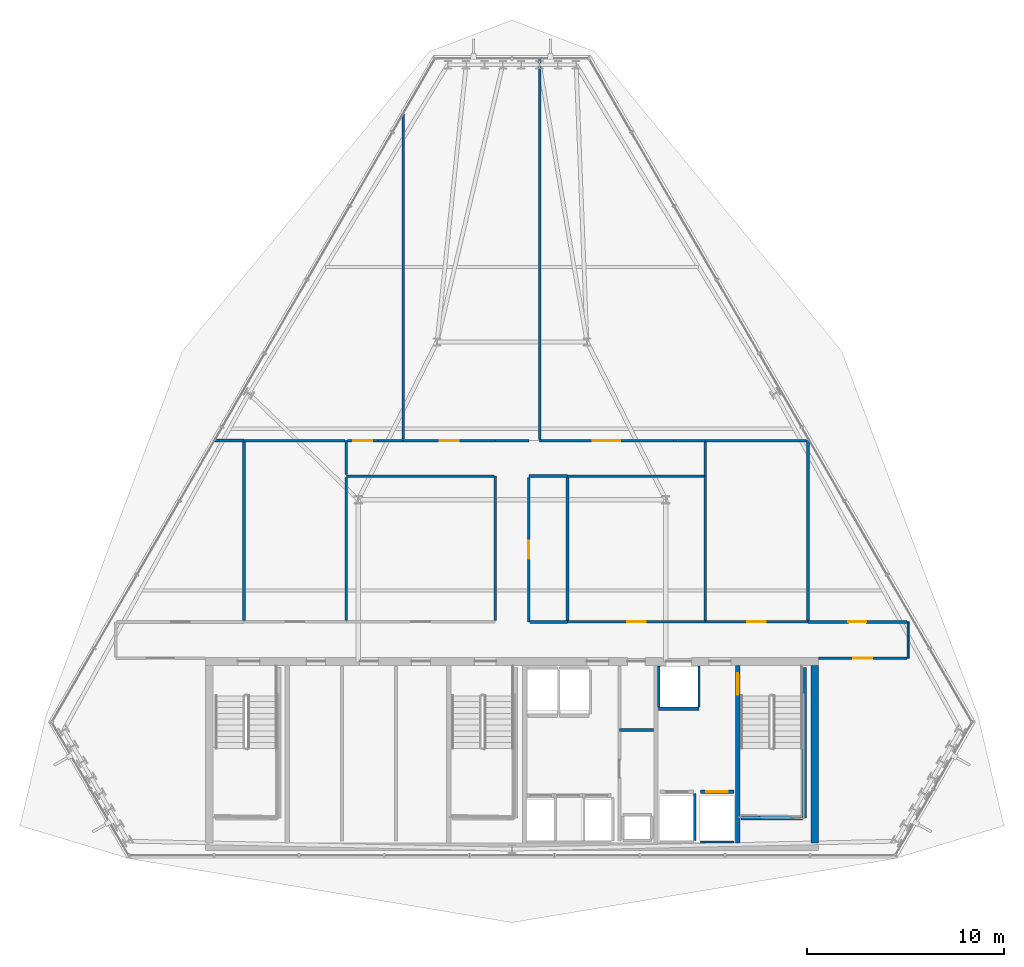
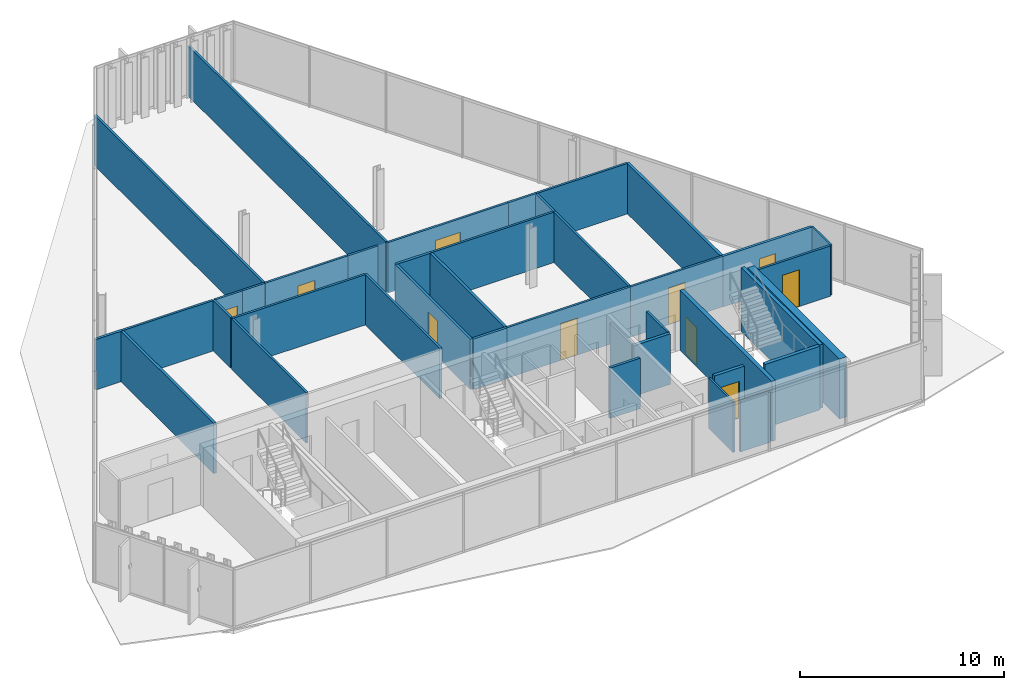
# One storey, part 30 of 37: 40 walls, 10 doors, 10 openings.
"""IFC4 building model written with IfcOpenShell, lengths in metres."""

from ifc_helpers import new_model, si_unit, direction, frame, frame_2d, origin, place, context, subcontext, project, spatial, rectangle, extrude, material, layer, layer_set, type_object, element, fill, save


model = new_model("IFC4")

# Units and contexts
model_context = context("Model", 3, precision=1e-05, world=origin(), true_north=direction((0.0, 1.0)))
body_context = subcontext(model_context, "Body", "Model", "MODEL_VIEW")
ifc_project = project(units=[si_unit("LENGTHUNIT", "METRE"), si_unit("AREAUNIT", "SQUARE_METRE"), si_unit("VOLUMEUNIT", "CUBIC_METRE"), si_unit("PLANEANGLEUNIT", "RADIAN"), si_unit("MASSUNIT", "GRAM", prefix="KILO")], contexts=[model_context])

# Site, building, storey
site_placement = place(None, origin())
site = spatial("IfcSite", under=ifc_project, at=site_placement, CompositionType="ELEMENT")
building_placement = place(site_placement, origin())
building = spatial("IfcBuilding", under=site, at=building_placement, Name="Ndaravel Arena Tower", CompositionType="ELEMENT")
storey_placement = place(building_placement, frame((0.0, 0.0, 218.0)))
storey = spatial("IfcBuildingStorey", under=building, at=storey_placement, Name="L52", CompositionType="ELEMENT", Elevation=218.0)

# Wall
ifc_material_1 = material(Name="Gypsum", Category="gypsum")
ifc_layer_1 = layer(ifc_material_1, 0.14990234375)
ifc_layer_set_1 = layer_set([ifc_layer_1], Name="Gypsum")
wall_type_1 = type_object("IfcWallType", Name="WALL-COMP-150", PredefinedType="PARTITIONING", material=ifc_layer_set_1)
wall_1_placement = place(storey_placement, frame((47.449951171875, 11.52001953125, 0.0), z_axis=(0.0, 0.0, 1.0), x_axis=(1.0, 0.0, 0.0)))
element("IfcWall", 1, at=wall_1_placement, inside=storey, type_object=wall_type_1, Name="L52 Core Riser Divider 1", PredefinedType="PARTITIONING", context=body_context, shape_type="SweptSolid", body=[
    extrude(rectangle(XDim=1.72998046875, YDim=0.14990234375, at=frame_2d((0.864990234375, 0.0))), origin(), (0.0, 0.0, 1.0), 3.010498046875),
])

# Wall, opening, door
ifc_material_2 = material(Name="Concrete C50/60", Category="concrete")
ifc_layer_2 = layer(ifc_material_2, 0.219970703125)
ifc_layer_set_2 = layer_set([ifc_layer_2], Name="Concrete C50/60")
wall_type_2 = type_object("IfcWallType", Name="WALL-CORE-220", PredefinedType="SOLIDWALL", material=ifc_layer_set_2)
wall_2_placement = place(storey_placement, frame((53.449951171875, 5.800048828125, 0.0), z_axis=(0.0, 0.0, 1.0), x_axis=(0.0, 1.0, 0.0)))
wall_2 = element("IfcWall", 2, at=wall_2_placement, inside=storey, type_object=wall_type_2, Name="L52 Core Web Shear Wall 5", PredefinedType="SOLIDWALL", context=body_context, shape_type="SweptSolid", body=[
    extrude(rectangle(XDim=9.0, YDim=0.219970703125, at=frame_2d((4.5, 0.0))), origin(), (0.0, 0.0, 1.0), 3.580078125),
])
opening_1_placement = place(wall_2_placement, frame((7.5, 0.0, 0.0)))
opening_1 = element("IfcOpeningElement", 3, at=opening_1_placement, cuts=wall_2, Name="Opening FD-01", PredefinedType="OPENING", context=body_context, shape_type="SweptSolid", body=[
    extrude(rectangle(XDim=1.10009765625, YDim=2.199951171875, at=frame_2d((0.550048828125, 1.10009765625))), frame((0.0, 0.10986328125, 0.0), z_axis=(0.0, -1.0, 0.0), x_axis=(1.0, 0.0, 0.0)), (0.0, 0.0, 1.0), 0.219970703125),
])
ifc_material_3 = material(Name="Steel S355", Category="steel")
door_type_1 = type_object("IfcDoorType", Name="DT-01-STAIR-1100", OperationType="SINGLE_SWING_LEFT", PredefinedType="DOOR", material=ifc_material_3)
door_1_placement = place(opening_1_placement, origin())
door_1 = element("IfcDoor", 4, at=door_1_placement, inside=storey, type_object=door_type_1, Name="L52 Firefighting Lobby to ST-3 Door", OperationType="SINGLE_SWING_LEFT", OverallHeight=2.199951171875, OverallWidth=1.10009765625, PredefinedType="DOOR", context=body_context, shape_type="SweptSolid", body=[
    extrude(rectangle(XDim=1.10009765625, YDim=2.199951171875, at=frame_2d((0.550048828125, 1.10009765625))), frame((0.0, 0.02490234375, 0.0), z_axis=(0.0, -1.0, 0.0), x_axis=(1.0, 0.0, 0.0)), (0.0, 0.0, 1.0), 0.050048828125),
])
fill(opening_1, door_1)

# Walls
ifc_material_4 = material(Name="Concrete C50/60", Category="concrete")
ifc_layer_3 = layer(ifc_material_4, 0.39990234375)
ifc_layer_set_3 = layer_set([ifc_layer_3], Name="Concrete C50/60")
wall_type_3 = type_object("IfcWallType", Name="WALL-CORE-400", PredefinedType="SOLIDWALL", material=ifc_layer_set_3)
wall_3_placement = place(storey_placement, frame((57.35009765625, 5.800048828125, 0.0), z_axis=(0.0, 0.0, 1.0), x_axis=(0.0, 1.0, 0.0)))
element("IfcWall", 5, at=wall_3_placement, inside=storey, type_object=wall_type_3, Name="L52 Core East Shear Wall", PredefinedType="SOLIDWALL", context=body_context, shape_type="SweptSolid", body=[
    extrude(rectangle(XDim=9.0, YDim=0.39990234375, at=frame_2d((4.5, 0.0))), origin(), (0.0, 0.0, 1.0), 3.580078125),
])
ifc_material_5 = material(Name="Timber", Category="wood")
ifc_layer_4 = layer(ifc_material_5, 0.10009765625)
ifc_layer_set_4 = layer_set([ifc_layer_4], Name="Timber")
wall_type_4 = type_object("IfcWallType", Name="WALL-MOVABLE-100", PredefinedType="MOVABLE", material=ifc_layer_set_4)
wall_4_placement = place(storey_placement, frame((62.091064453125, 17.0, 0.0), z_axis=(0.0, 0.0, 1.0), x_axis=(0.0, -1.0, 0.0)))
element("IfcWall", 6, at=wall_4_placement, inside=storey, type_object=wall_type_4, Name="L52 Interior Partition 001", PredefinedType="MOVABLE", context=body_context, shape_type="SweptSolid", body=[
    extrude(rectangle(XDim=1.85009765625, YDim=0.10009765625, at=frame_2d((0.925048828125, 0.0))), origin(), (0.0, 0.0, 1.0), 3.010498046875),
])

# Wall, opening, door
ifc_material_6 = material(Name="Gypsum", Category="gypsum")
ifc_layer_5 = layer(ifc_material_6, 0.125)
ifc_layer_set_5 = layer_set([ifc_layer_5], Name="Gypsum")
wall_type_5 = type_object("IfcWallType", Name="WALL-PART-125", PredefinedType="PARTITIONING", material=ifc_layer_set_5)
wall_5_placement = place(storey_placement, frame((62.02587890625, 15.14990234375, 0.0), z_axis=(0.0, 0.0, 1.0), x_axis=(-1.0, 0.0, 0.0)))
wall_5 = element("IfcWall", 7, at=wall_5_placement, inside=storey, type_object=wall_type_5, Name="L52 Interior Partition 002", PredefinedType="PARTITIONING", context=body_context, shape_type="SweptSolid", body=[
    extrude(rectangle(XDim=4.475830078125, YDim=0.125, at=frame_2d((2.23779296875, 0.0))), origin(), (0.0, 0.0, 1.0), 3.010498046875),
])
opening_2_placement = place(wall_5_placement, frame((1.762939453125, 0.0, 0.0)))
opening_2 = element("IfcOpeningElement", 8, at=opening_2_placement, cuts=wall_5, Name="Opening ID-01", PredefinedType="OPENING", context=body_context, shape_type="SweptSolid", body=[
    extrude(rectangle(XDim=0.949951171875, YDim=2.199951171875, at=frame_2d((0.47509765625, 1.10009765625))), frame((0.0, 0.0625, 0.0), z_axis=(0.0, -1.0, 0.0), x_axis=(1.0, 0.0, 0.0)), (0.0, 0.0, 1.0), 0.125),
])
ifc_material_7 = material(Name="Timber", Category="wood")
door_type_2 = type_object("IfcDoorType", Name="DT-03-OFFICE-950", OperationType="SINGLE_SWING_LEFT", PredefinedType="DOOR", material=ifc_material_7)
door_2_placement = place(opening_2_placement, origin())
door_2 = element("IfcDoor", 9, at=door_2_placement, inside=storey, type_object=door_type_2, Name="L52 Design Bookshop Boutique Door", OperationType="SINGLE_SWING_RIGHT", OverallHeight=2.199951171875, OverallWidth=0.949951171875, PredefinedType="DOOR", context=body_context, shape_type="SweptSolid", body=[
    extrude(rectangle(XDim=0.949951171875, YDim=2.199951171875, at=frame_2d((0.47509765625, 1.10009765625))), frame((0.0, 0.02490234375, 0.0), z_axis=(0.0, -1.0, 0.0), x_axis=(1.0, 0.0, 0.0)), (0.0, 0.0, 1.0), 0.050048828125),
])
fill(opening_2, door_2)

# Walls
wall_6_placement = place(storey_placement, frame((41.14990234375, 17.06494140625, 0.0), z_axis=(0.0, 0.0, 1.0), x_axis=(0.0, 1.0, 0.0)))
element("IfcWall", 10, at=wall_6_placement, inside=storey, type_object=wall_type_5, Name="L52 Interior Partition 008", PredefinedType="PARTITIONING", context=body_context, shape_type="SweptSolid", body=[
    extrude(rectangle(XDim=7.3349609375, YDim=0.125, at=frame_2d((3.66748046875, 0.0))), origin(), (0.0, 0.0, 1.0), 3.010498046875),
])
wall_7_placement = place(storey_placement, frame((41.0849609375, 24.39990234375, 0.0), z_axis=(0.0, 0.0, 1.0), x_axis=(-1.0, 0.0, 0.0)))
element("IfcWall", 11, at=wall_7_placement, inside=storey, type_object=wall_type_5, Name="L52 Interior Partition 009", PredefinedType="PARTITIONING", context=body_context, shape_type="SweptSolid", body=[
    extrude(rectangle(XDim=7.48486328125, YDim=0.125, at=frame_2d((3.742431640625, 0.0))), origin(), (0.0, 0.0, 1.0), 3.010498046875),
])
wall_8_placement = place(storey_placement, frame((33.60009765625, 24.465087890625, 0.0), z_axis=(0.0, 0.0, 1.0), x_axis=(0.0, 1.0, 0.0)))
element("IfcWall", 12, at=wall_8_placement, inside=storey, type_object=wall_type_5, Name="L52 Interior Partition 010", PredefinedType="PARTITIONING", context=body_context, shape_type="SweptSolid", body=[
    extrude(rectangle(XDim=1.73486328125, YDim=0.125, at=frame_2d((0.867431640625, 0.0))), origin(), (0.0, 0.0, 1.0), 3.010498046875),
])

# Wall, opening, door
wall_9_placement = place(storey_placement, frame((33.6650390625, 26.199951171875, 0.0), z_axis=(0.0, 0.0, 1.0), x_axis=(1.0, 0.0, 0.0)))
wall_9 = element("IfcWall", 13, at=wall_9_placement, inside=storey, type_object=wall_type_5, Name="L52 Interior Partition 011", PredefinedType="PARTITIONING", context=body_context, shape_type="SweptSolid", body=[
    extrude(rectangle(XDim=1.534912109375, YDim=0.125, at=frame_2d((0.767578125, 0.0))), origin(), (0.0, 0.0, 1.0), 3.010498046875),
])
opening_3_placement = place(wall_9_placement, frame((0.29248046875, 0.0, 0.0)))
opening_3 = element("IfcOpeningElement", 14, at=opening_3_placement, cuts=wall_9, Name="Opening ID-01", PredefinedType="OPENING", context=body_context, shape_type="SweptSolid", body=[
    extrude(rectangle(XDim=0.949951171875, YDim=2.199951171875, at=frame_2d((0.47509765625, 1.10009765625))), frame((0.0, 0.0625, 0.0), z_axis=(0.0, -1.0, 0.0), x_axis=(1.0, 0.0, 0.0)), (0.0, 0.0, 1.0), 0.125),
])
door_3_placement = place(opening_3_placement, origin())
door_3 = element("IfcDoor", 15, at=door_3_placement, inside=storey, type_object=door_type_2, Name="L52 Innovation Showroom 3 Door", OperationType="SINGLE_SWING_RIGHT", OverallHeight=2.199951171875, OverallWidth=0.949951171875, PredefinedType="DOOR", context=body_context, shape_type="SweptSolid", body=[
    extrude(rectangle(XDim=0.949951171875, YDim=2.199951171875, at=frame_2d((0.47509765625, 1.10009765625))), frame((0.0, 0.02490234375, 0.0), z_axis=(0.0, -1.0, 0.0), x_axis=(1.0, 0.0, 0.0)), (0.0, 0.0, 1.0), 0.050048828125),
])
fill(opening_3, door_3)

# Wall
wall_10_placement = place(storey_placement, frame((35.199951171875, 26.199951171875, 0.0), z_axis=(0.0, 0.0, 1.0), x_axis=(1.0, 0.0, 0.0)))
element("IfcWall", 16, at=wall_10_placement, inside=storey, type_object=wall_type_5, Name="L52 Interior Partition 012", PredefinedType="PARTITIONING", context=body_context, shape_type="SweptSolid", body=[
    extrude(rectangle(XDim=1.2744140625, YDim=0.125, at=frame_2d((0.63720703125, 0.0))), origin(), (0.0, 0.0, 1.0), 3.010498046875),
])

# Wall, opening, door
wall_11_placement = place(storey_placement, frame((36.474365234375, 26.199951171875, 0.0), z_axis=(0.0, 0.0, 1.0), x_axis=(1.0, 0.0, 0.0)))
wall_11 = element("IfcWall", 17, at=wall_11_placement, inside=storey, type_object=wall_type_5, Name="L52 Interior Partition 013", PredefinedType="PARTITIONING", context=body_context, shape_type="SweptSolid", body=[
    extrude(rectangle(XDim=4.675537109375, YDim=0.125, at=frame_2d((2.337890625, 0.0))), origin(), (0.0, 0.0, 1.0), 3.010498046875),
])
opening_4_placement = place(wall_11_placement, frame((1.86279296875, 0.0, 0.0)))
opening_4 = element("IfcOpeningElement", 18, at=opening_4_placement, cuts=wall_11, Name="Opening ID-01", PredefinedType="OPENING", context=body_context, shape_type="SweptSolid", body=[
    extrude(rectangle(XDim=0.949951171875, YDim=2.199951171875, at=frame_2d((0.47509765625, 1.10009765625))), frame((0.0, 0.0625, 0.0), z_axis=(0.0, -1.0, 0.0), x_axis=(1.0, 0.0, 0.0)), (0.0, 0.0, 1.0), 0.125),
])
door_4_placement = place(opening_4_placement, origin())
door_4 = element("IfcDoor", 19, at=door_4_placement, inside=storey, type_object=door_type_2, Name="L52 Publication Shop 4 Door", OperationType="SINGLE_SWING_RIGHT", OverallHeight=2.199951171875, OverallWidth=0.949951171875, PredefinedType="DOOR", context=body_context, shape_type="SweptSolid", body=[
    extrude(rectangle(XDim=0.949951171875, YDim=2.199951171875, at=frame_2d((0.47509765625, 1.10009765625))), frame((0.0, 0.02490234375, 0.0), z_axis=(0.0, -1.0, 0.0), x_axis=(1.0, 0.0, 0.0)), (0.0, 0.0, 1.0), 0.050048828125),
])
fill(opening_4, door_4)

# Wall
wall_12_placement = place(storey_placement, frame((41.14990234375, 26.199951171875, 0.0), z_axis=(0.0, 0.0, 1.0), x_axis=(1.0, 0.0, 0.0)))
element("IfcWall", 20, at=wall_12_placement, inside=storey, type_object=wall_type_5, Name="L52 Interior Partition 014", PredefinedType="PARTITIONING", context=body_context, shape_type="SweptSolid", body=[
    extrude(rectangle(XDim=1.7001953125, YDim=0.125, at=frame_2d((0.85009765625, 0.0))), origin(), (0.0, 0.0, 1.0), 3.010498046875),
])

# Wall, opening, door
wall_13_placement = place(storey_placement, frame((43.39990234375, 26.199951171875, 0.0), z_axis=(0.0, 0.0, 1.0), x_axis=(1.0, 0.0, 0.0)))
wall_13 = element("IfcWall", 21, at=wall_13_placement, inside=storey, type_object=wall_type_5, Name="L52 Interior Partition 015", PredefinedType="PARTITIONING", context=body_context, shape_type="SweptSolid", body=[
    extrude(rectangle(XDim=6.800048828125, YDim=0.125, at=frame_2d((3.39990234375, 0.0))), origin(), (0.0, 0.0, 1.0), 3.010498046875),
])
opening_5_placement = place(wall_13_placement, frame((2.699951171875, 0.0, 0.0)))
opening_5 = element("IfcOpeningElement", 22, at=opening_5_placement, cuts=wall_13, Name="Opening ID-02", PredefinedType="OPENING", context=body_context, shape_type="SweptSolid", body=[
    extrude(rectangle(XDim=1.39990234375, YDim=2.199951171875, at=frame_2d((0.699951171875, 1.10009765625))), frame((0.0, 0.0625, 0.0), z_axis=(0.0, -1.0, 0.0), x_axis=(1.0, 0.0, 0.0)), (0.0, 0.0, 1.0), 0.125),
])
ifc_material_8 = material(Name="Timber", Category="wood")
door_type_3 = type_object("IfcDoorType", Name="DT-04-SUITE-1400", OperationType="DOUBLE_DOOR_SINGLE_SWING", PredefinedType="DOOR", material=ifc_material_8)
door_5_placement = place(opening_5_placement, origin())
door_5 = element("IfcDoor", 23, at=door_5_placement, inside=storey, type_object=door_type_3, Name="L52 Executive Dining Lounge 4 Door", OperationType="SINGLE_SWING_LEFT", OverallHeight=2.199951171875, OverallWidth=1.39990234375, PredefinedType="DOOR", context=body_context, shape_type="SweptSolid", body=[
    extrude(rectangle(XDim=1.39990234375, YDim=2.199951171875, at=frame_2d((0.699951171875, 1.10009765625))), frame((0.0, 0.02490234375, 0.0), z_axis=(0.0, -1.0, 0.0), x_axis=(1.0, 0.0, 0.0)), (0.0, 0.0, 1.0), 0.050048828125),
])
fill(opening_5, door_5)

# Walls
wall_14_placement = place(storey_placement, frame((50.199951171875, 26.199951171875, 0.0), z_axis=(0.0, 0.0, 1.0), x_axis=(1.0, 0.0, 0.0)))
element("IfcWall", 24, at=wall_14_placement, inside=storey, type_object=wall_type_5, Name="L52 Interior Partition 016", PredefinedType="PARTITIONING", context=body_context, shape_type="SweptSolid", body=[
    extrude(rectangle(XDim=1.60009765625, YDim=0.125, at=frame_2d((0.800048828125, 0.0))), origin(), (0.0, 0.0, 1.0), 3.010498046875),
])
wall_15_placement = place(storey_placement, frame((51.800048828125, 26.135009765625, 0.0), z_axis=(0.0, 0.0, 1.0), x_axis=(0.0, -1.0, 0.0)))
element("IfcWall", 25, at=wall_15_placement, inside=storey, type_object=wall_type_5, Name="L52 Interior Partition 017", PredefinedType="PARTITIONING", context=body_context, shape_type="SweptSolid", body=[
    extrude(rectangle(XDim=1.735107421875, YDim=0.125, at=frame_2d((0.86767578125, 0.0))), origin(), (0.0, 0.0, 1.0), 3.010498046875),
])
wall_16_placement = place(storey_placement, frame((51.735107421875, 24.39990234375, 0.0), z_axis=(0.0, 0.0, 1.0), x_axis=(-1.0, 0.0, 0.0)))
element("IfcWall", 26, at=wall_16_placement, inside=storey, type_object=wall_type_5, Name="L52 Interior Partition 018", PredefinedType="PARTITIONING", context=body_context, shape_type="SweptSolid", body=[
    extrude(rectangle(XDim=6.916015625, YDim=0.125, at=frame_2d((3.4580078125, 0.0))), origin(), (0.0, 0.0, 1.0), 3.010498046875),
])

# Wall, opening, door
wall_17_placement = place(storey_placement, frame((44.819091796875, 17.0, 0.0), z_axis=(0.0, 0.0, 1.0), x_axis=(1.0, 0.0, 0.0)))
wall_17 = element("IfcWall", 27, at=wall_17_placement, inside=storey, type_object=wall_type_5, Name="L52 Interior Partition 022", PredefinedType="PARTITIONING", context=body_context, shape_type="SweptSolid", body=[
    extrude(rectangle(XDim=6.98095703125, YDim=0.125, at=frame_2d((3.490478515625, 0.0))), origin(), (0.0, 0.0, 1.0), 3.010498046875),
])
opening_6_placement = place(wall_17_placement, frame((3.015380859375, 0.0, 0.0)))
opening_6 = element("IfcOpeningElement", 28, at=opening_6_placement, cuts=wall_17, Name="Opening ID-01", PredefinedType="OPENING", context=body_context, shape_type="SweptSolid", body=[
    extrude(rectangle(XDim=0.949951171875, YDim=2.199951171875, at=frame_2d((0.47509765625, 1.10009765625))), frame((0.0, 0.0625, 0.0), z_axis=(0.0, -1.0, 0.0), x_axis=(1.0, 0.0, 0.0)), (0.0, 0.0, 1.0), 0.125),
])
door_6_placement = place(opening_6_placement, origin())
door_6 = element("IfcDoor", 29, at=door_6_placement, inside=storey, type_object=door_type_2, Name="L52 Hospitality Sitting Room 2 Door", OperationType="SINGLE_SWING_LEFT", OverallHeight=2.199951171875, OverallWidth=0.949951171875, PredefinedType="DOOR", context=body_context, shape_type="SweptSolid", body=[
    extrude(rectangle(XDim=0.949951171875, YDim=2.199951171875, at=frame_2d((0.47509765625, 1.10009765625))), frame((0.0, 0.02490234375, 0.0), z_axis=(0.0, -1.0, 0.0), x_axis=(1.0, 0.0, 0.0)), (0.0, 0.0, 1.0), 0.050048828125),
])
fill(opening_6, door_6)

wall_18_placement = place(storey_placement, frame((51.800048828125, 17.0, 0.0), z_axis=(0.0, 0.0, 1.0), x_axis=(1.0, 0.0, 0.0)))
wall_18 = element("IfcWall", 30, at=wall_18_placement, inside=storey, type_object=wall_type_5, Name="L52 Interior Partition 023", PredefinedType="PARTITIONING", context=body_context, shape_type="SweptSolid", body=[
    extrude(rectangle(XDim=5.199951171875, YDim=0.125, at=frame_2d((2.60009765625, 0.0))), origin(), (0.0, 0.0, 1.0), 3.010498046875),
])
opening_7_placement = place(wall_18_placement, frame((2.125, 0.0, 0.0)))
opening_7 = element("IfcOpeningElement", 31, at=opening_7_placement, cuts=wall_18, Name="Opening ID-01", PredefinedType="OPENING", context=body_context, shape_type="SweptSolid", body=[
    extrude(rectangle(XDim=0.949951171875, YDim=2.199951171875, at=frame_2d((0.47509765625, 1.10009765625))), frame((0.0, 0.0625, 0.0), z_axis=(0.0, -1.0, 0.0), x_axis=(1.0, 0.0, 0.0)), (0.0, 0.0, 1.0), 0.125),
])
door_7_placement = place(opening_7_placement, origin())
door_7 = element("IfcDoor", 32, at=door_7_placement, inside=storey, type_object=door_type_2, Name="L52 Refreshment Kiosk 2 Door", OperationType="SINGLE_SWING_LEFT", OverallHeight=2.199951171875, OverallWidth=0.949951171875, PredefinedType="DOOR", context=body_context, shape_type="SweptSolid", body=[
    extrude(rectangle(XDim=0.949951171875, YDim=2.199951171875, at=frame_2d((0.47509765625, 1.10009765625))), frame((0.0, 0.02490234375, 0.0), z_axis=(0.0, -1.0, 0.0), x_axis=(1.0, 0.0, 0.0)), (0.0, 0.0, 1.0), 0.050048828125),
])
fill(opening_7, door_7)

# Walls
wall_19_placement = place(storey_placement, frame((33.60009765625, 17.06494140625, 0.0), z_axis=(0.0, 0.0, 1.0), x_axis=(0.0, 1.0, 0.0)))
element("IfcWall", 33, at=wall_19_placement, inside=storey, type_object=wall_type_5, Name="L52 Interior Partition 028", PredefinedType="PARTITIONING", context=body_context, shape_type="SweptSolid", body=[
    extrude(rectangle(XDim=7.27001953125, YDim=0.125, at=frame_2d((3.635009765625, 0.0))), origin(), (0.0, 0.0, 1.0), 3.010498046875),
])
wall_20_placement = place(storey_placement, frame((51.800048828125, 24.39990234375, 0.0), z_axis=(0.0, 0.0, 1.0), x_axis=(0.0, -1.0, 0.0)))
element("IfcWall", 34, at=wall_20_placement, inside=storey, type_object=wall_type_5, Name="L52 Interior Partition 030", PredefinedType="PARTITIONING", context=body_context, shape_type="SweptSolid", body=[
    extrude(rectangle(XDim=7.3349609375, YDim=0.125, at=frame_2d((3.66748046875, 0.0))), origin(), (0.0, 0.0, 1.0), 3.010498046875),
])
for number, where, z_axis, x_axis, name in (
    (35, (28.39990234375, 26.199951171875, 0.0), (0.0, 0.0, 1.0), (1.0, 0.0, 0.0), "L52 Interior Partition 031"),
    (36, (51.800048828125, 26.199951171875, 0.0), (0.0, 0.0, 1.0), (1.0, 0.0, 0.0), "L52 Interior Partition 032"),
):
    element("IfcWall", number, at=place(storey_placement, frame(where, z_axis=z_axis, x_axis=x_axis)), inside=storey, type_object=wall_type_5, Name=name, PredefinedType="PARTITIONING", context=body_context, shape_type="SweptSolid", body=[
        extrude(rectangle(XDim=5.135009765625, YDim=0.125, at=frame_2d((2.5673828125, 0.0))), origin(), (0.0, 0.0, 1.0), 3.010498046875),
    ])
wall_21_placement = place(storey_placement, frame((36.474365234375, 42.76513671875, 0.0), z_axis=(0.0, 0.0, 1.0), x_axis=(0.0, -1.0, 0.0)))
element("IfcWall", 37, at=wall_21_placement, inside=storey, type_object=wall_type_5, Name="L52 Interior Partition 033", PredefinedType="PARTITIONING", context=body_context, shape_type="SweptSolid", body=[
    extrude(rectangle(XDim=16.500244140625, YDim=0.125, at=frame_2d((8.25, 0.0))), origin(), (0.0, 0.0, 1.0), 3.010498046875),
])
wall_22_placement = place(storey_placement, frame((43.39990234375, 26.264892578125, 0.0), z_axis=(0.0, 0.0, 1.0), x_axis=(0.0, 1.0, 0.0)))
element("IfcWall", 38, at=wall_22_placement, inside=storey, type_object=wall_type_5, Name="L52 Interior Partition 034", PredefinedType="PARTITIONING", context=body_context, shape_type="SweptSolid", body=[
    extrude(rectangle(XDim=19.312744140625, YDim=0.125, at=frame_2d((9.65625, 0.0))), origin(), (0.0, 0.0, 1.0), 3.010498046875),
])
ifc_material_9 = material(Name="Concrete C40/50", Category="concrete")
ifc_layer_6 = layer(ifc_material_9, 0.1201171875)
ifc_layer_set_6 = layer_set([ifc_layer_6], Name="Concrete C40/50")
wall_type_6 = type_object("IfcWallType", Name="WALL-SHAFT-120", PredefinedType="SOLIDWALL", material=ifc_layer_set_6)
wall_23_placement = place(storey_placement, frame((51.27490234375, 5.929931640625, 0.0), z_axis=(0.0, 0.0, 1.0), x_axis=(0.0, 1.0, 0.0)))
element("IfcWall", 39, at=wall_23_placement, inside=storey, type_object=wall_type_6, Name="L52 FFL-1 Shaft Side R Wall", PredefinedType="SOLIDWALL", context=body_context, shape_type="SweptSolid", body=[
    extrude(rectangle(XDim=2.380126953125, YDim=0.1201171875, at=frame_2d((1.18994140625, 0.0))), origin(), (0.0, 0.0, 1.0), 3.010498046875),
])
wall_24_placement = place(storey_placement, frame((51.554931640625, 5.840087890625, 0.0), z_axis=(0.0, 0.0, 1.0), x_axis=(1.0, 0.0, 0.0)))
element("IfcWall", 40, at=wall_24_placement, inside=storey, type_object=wall_type_6, Name="L52 FFL-2 Shaft Rear Wall", PredefinedType="SOLIDWALL", context=body_context, shape_type="SweptSolid", body=[
    extrude(rectangle(XDim=1.690185546875, YDim=0.1201171875, at=frame_2d((0.84521484375, 0.0))), origin(), (0.0, 0.0, 1.0), 3.010498046875),
])
for number, where, z_axis, x_axis, name in (
    (41, (49.43994140625, 12.68994140625, 0.0), (0.0, 0.0, 1.0), (0.0, 1.0, 0.0), "L52 SVL-1 Shaft W Wall"),
    (42, (51.47998046875, 12.68994140625, 0.0), (0.0, 0.0, 1.0), (0.0, 1.0, 0.0), "L52 SVL-1 Shaft E Wall"),
):
    element("IfcWall", number, at=place(storey_placement, frame(where, z_axis=z_axis, x_axis=x_axis)), inside=storey, type_object=wall_type_6, Name=name, PredefinedType="SOLIDWALL", context=body_context, shape_type="SweptSolid", body=[
        extrude(rectangle(XDim=2.070068359375, YDim=0.1201171875, at=frame_2d((1.03515625, 0.0))), origin(), (0.0, 0.0, 1.0), 3.010498046875),
    ])
ifc_material_10 = material(Name="Concrete C40/50", Category="concrete")
ifc_layer_7 = layer(ifc_material_10, 0.199951171875)
ifc_layer_set_7 = layer_set([ifc_layer_7], Name="Concrete C40/50")
wall_type_7 = type_object("IfcWallType", Name="WALL-SHAFT-200", PredefinedType="SOLIDWALL", material=ifc_layer_set_7)
wall_25_placement = place(storey_placement, frame((56.840087890625, 14.699951171875, 0.0), z_axis=(0.0, 0.0, 1.0), x_axis=(0.0, -1.0, 0.0)))
element("IfcWall", 43, at=wall_25_placement, inside=storey, type_object=wall_type_7, Name="L52 ST-3 Structural Shaft Wall Right", PredefinedType="SOLIDWALL", context=body_context, shape_type="SweptSolid", body=[
    extrude(rectangle(XDim=7.64990234375, YDim=0.199951171875, at=frame_2d((3.824951171875, 0.0))), origin(), (0.0, 0.0, 1.0), 3.800048828125),
])
wall_26_placement = place(storey_placement, frame((53.6201171875, 7.050048828125, 0.0), z_axis=(0.0, 0.0, 1.0), x_axis=(1.0, 0.0, 0.0)))
element("IfcWall", 44, at=wall_26_placement, inside=storey, type_object=wall_type_7, Name="L52 ST-3 Structural Shaft Wall Far", PredefinedType="SOLIDWALL", context=body_context, shape_type="SweptSolid", body=[
    extrude(rectangle(XDim=3.114990234375, YDim=0.199951171875, at=frame_2d((1.5576171875, 0.0))), origin(), (0.0, 0.0, 1.0), 3.800048828125),
])

# Wall, opening, door
wall_27_placement = place(storey_placement, frame((51.554931640625, 8.39990234375, 0.0), z_axis=(0.0, 0.0, 1.0), x_axis=(1.0, 0.0, 0.0)))
wall_27 = element("IfcWall", 45, at=wall_27_placement, inside=storey, type_object=wall_type_7, Name="L52 FFL-2 Shaft Landing Wall", PredefinedType="SOLIDWALL", context=body_context, shape_type="SweptSolid", body=[
    extrude(rectangle(XDim=1.690185546875, YDim=0.179931640625, at=frame_2d((0.84521484375, 0.0))), origin(), (0.0, 0.0, 1.0), 3.010498046875),
])
opening_8_placement = place(wall_27_placement, frame((0.294921875, 0.0, 0.0)))
opening_8 = element("IfcOpeningElement", 46, at=opening_8_placement, cuts=wall_27, Name="Opening LD-01", PredefinedType="OPENING", context=body_context, shape_type="SweptSolid", body=[
    extrude(rectangle(XDim=1.10009765625, YDim=2.199951171875, at=frame_2d((0.550048828125, 1.10009765625))), frame((0.0, 0.08984375, 0.0), z_axis=(0.0, -1.0, 0.0), x_axis=(1.0, 0.0, 0.0)), (0.0, 0.0, 1.0), 0.179931640625),
])
ifc_material_11 = material(Name="Steel S355", Category="steel")
door_type_4 = type_object("IfcDoorType", Name="DT-06-LIFT-1100", OperationType="SLIDING_TO_LEFT", PredefinedType="DOOR", material=ifc_material_11)
door_8_placement = place(opening_8_placement, origin())
door_8 = element("IfcDoor", 47, at=door_8_placement, inside=storey, type_object=door_type_4, Name="L52 Lift FFL-2 Sliding Landing Door", OperationType="SLIDING_TO_LEFT", OverallHeight=2.199951171875, OverallWidth=1.10009765625, PredefinedType="DOOR", context=body_context, shape_type="SweptSolid", body=[
    extrude(rectangle(XDim=1.10009765625, YDim=2.199951171875, at=frame_2d((0.550048828125, 1.10009765625))), frame((0.0, 0.02490234375, 0.0), z_axis=(0.0, -1.0, 0.0), x_axis=(1.0, 0.0, 0.0)), (0.0, 0.0, 1.0), 0.050048828125),
])
fill(opening_8, door_8)

# Walls
wall_28_placement = place(storey_placement, frame((49.43994140625, 12.594970703125, 0.0), z_axis=(0.0, 0.0, 1.0), x_axis=(1.0, 0.0, 0.0)))
element("IfcWall", 48, at=wall_28_placement, inside=storey, type_object=wall_type_7, Name="L52 SVL-1 Shaft South Wall", PredefinedType="SOLIDWALL", context=body_context, shape_type="SweptSolid", body=[
    extrude(rectangle(XDim=2.0400390625, YDim=0.179931640625, at=frame_2d((1.02001953125, 0.0))), origin(), (0.0, 0.0, 1.0), 3.010498046875),
])
ifc_material_12 = material(Name="Masonry", Category="masonry")
ifc_layer_8 = layer(ifc_material_12, 0.14990234375)
ifc_layer_set_8 = layer_set([ifc_layer_8], Name="Masonry")
wall_type_8 = type_object("IfcWallType", Name="WALL-WET-150", PredefinedType="PARTITIONING", material=ifc_layer_set_8)
wall_29_placement = place(storey_placement, frame((44.819091796875, 24.39990234375, 0.0), z_axis=(0.0, 0.0, 1.0), x_axis=(-1.0, 0.0, 0.0)))
element("IfcWall", 49, at=wall_29_placement, inside=storey, type_object=wall_type_8, Name="L52 Interior Partition 019", PredefinedType="PARTITIONING", context=body_context, shape_type="SweptSolid", body=[
    extrude(rectangle(XDim=1.968994140625, YDim=0.14990234375, at=frame_2d((0.984375, 0.0))), origin(), (0.0, 0.0, 1.0), 3.010498046875),
])

# Wall, opening, door
wall_30_placement = place(storey_placement, frame((42.85009765625, 24.3349609375, 0.0), z_axis=(0.0, 0.0, 1.0), x_axis=(0.0, -1.0, 0.0)))
wall_30 = element("IfcWall", 50, at=wall_30_placement, inside=storey, type_object=wall_type_8, Name="L52 Interior Partition 020", PredefinedType="PARTITIONING", context=body_context, shape_type="SweptSolid", body=[
    extrude(rectangle(XDim=7.3349609375, YDim=0.14990234375, at=frame_2d((3.66748046875, 0.0))), origin(), (0.0, 0.0, 1.0), 3.010498046875),
])
opening_9_placement = place(wall_30_placement, frame((3.217529296875, 0.0, 0.0)))
opening_9 = element("IfcOpeningElement", 51, at=opening_9_placement, cuts=wall_30, Name="Opening WD-01", PredefinedType="OPENING", context=body_context, shape_type="SweptSolid", body=[
    extrude(rectangle(XDim=0.89990234375, YDim=2.14990234375, at=frame_2d((0.449951171875, 1.074951171875))), frame((0.0, 0.074951171875, 0.0), z_axis=(0.0, -1.0, 0.0), x_axis=(1.0, 0.0, 0.0)), (0.0, 0.0, 1.0), 0.14990234375),
])
ifc_material_13 = material(Name="Timber", Category="wood")
door_type_5 = type_object("IfcDoorType", Name="DT-05-WC-900", OperationType="SINGLE_SWING_LEFT", PredefinedType="DOOR", material=ifc_material_13)
door_9_placement = place(opening_9_placement, origin())
door_9 = element("IfcDoor", 52, at=door_9_placement, inside=storey, type_object=door_type_5, Name="L52 Female & Accessible Restroom Door", OperationType="SINGLE_SWING_RIGHT", OverallHeight=2.14990234375, OverallWidth=0.89990234375, PredefinedType="DOOR", context=body_context, shape_type="SweptSolid", body=[
    extrude(rectangle(XDim=0.89990234375, YDim=2.14990234375, at=frame_2d((0.449951171875, 1.074951171875))), frame((0.0, 0.02490234375, 0.0), z_axis=(0.0, -1.0, 0.0), x_axis=(1.0, 0.0, 0.0)), (0.0, 0.0, 1.0), 0.050048828125),
])
fill(opening_9, door_9)

# Wall
wall_31_placement = place(storey_placement, frame((42.9150390625, 17.0, 0.0), z_axis=(0.0, 0.0, 1.0), x_axis=(1.0, 0.0, 0.0)))
element("IfcWall", 53, at=wall_31_placement, inside=storey, type_object=wall_type_8, Name="L52 Interior Partition 021", PredefinedType="PARTITIONING", context=body_context, shape_type="SweptSolid", body=[
    extrude(rectangle(XDim=1.904052734375, YDim=0.14990234375, at=frame_2d((0.9521484375, 0.0))), origin(), (0.0, 0.0, 1.0), 3.010498046875),
])

# Wall, opening, door
wall_32_placement = place(storey_placement, frame((57.0, 17.0, 0.0), z_axis=(0.0, 0.0, 1.0), x_axis=(1.0, 0.0, 0.0)))
wall_32 = element("IfcWall", 54, at=wall_32_placement, inside=storey, type_object=wall_type_8, Name="L52 Interior Partition 024", PredefinedType="PARTITIONING", context=body_context, shape_type="SweptSolid", body=[
    extrude(rectangle(XDim=5.02587890625, YDim=0.14990234375, at=frame_2d((2.512939453125, 0.0))), origin(), (0.0, 0.0, 1.0), 3.010498046875),
])
opening_10_placement = place(wall_32_placement, frame((2.06298828125, 0.0, 0.0)))
opening_10 = element("IfcOpeningElement", 55, at=opening_10_placement, cuts=wall_32, Name="Opening WD-01", PredefinedType="OPENING", context=body_context, shape_type="SweptSolid", body=[
    extrude(rectangle(XDim=0.89990234375, YDim=2.14990234375, at=frame_2d((0.449951171875, 1.074951171875))), frame((0.0, 0.074951171875, 0.0), z_axis=(0.0, -1.0, 0.0), x_axis=(1.0, 0.0, 0.0)), (0.0, 0.0, 1.0), 0.14990234375),
])
door_10_placement = place(opening_10_placement, origin())
door_10 = element("IfcDoor", 56, at=door_10_placement, inside=storey, type_object=door_type_5, Name="L52 Male Staff & Visitor Restroom Door", OperationType="SINGLE_SWING_LEFT", OverallHeight=2.14990234375, OverallWidth=0.89990234375, PredefinedType="DOOR", context=body_context, shape_type="SweptSolid", body=[
    extrude(rectangle(XDim=0.89990234375, YDim=2.14990234375, at=frame_2d((0.449951171875, 1.074951171875))), frame((0.0, 0.02490234375, 0.0), z_axis=(0.0, -1.0, 0.0), x_axis=(1.0, 0.0, 0.0)), (0.0, 0.0, 1.0), 0.050048828125),
])
fill(opening_10, door_10)

# Walls
wall_33_placement = place(storey_placement, frame((57.0, 17.06494140625, 0.0), z_axis=(0.0, 0.0, 1.0), x_axis=(0.0, 1.0, 0.0)))
element("IfcWall", 57, at=wall_33_placement, inside=storey, type_object=wall_type_8, Name="L52 Interior Partition 025", PredefinedType="PARTITIONING", context=body_context, shape_type="SweptSolid", body=[
    extrude(rectangle(XDim=9.135009765625, YDim=0.14990234375, at=frame_2d((4.5673828125, 0.0))), origin(), (0.0, 0.0, 1.0), 3.010498046875),
])
wall_34_placement = place(storey_placement, frame((26.910400390625, 26.199951171875, 0.0), z_axis=(0.0, 0.0, 1.0), x_axis=(1.0, 0.0, 0.0)))
element("IfcWall", 58, at=wall_34_placement, inside=storey, type_object=wall_type_8, Name="L52 Interior Partition 026", PredefinedType="PARTITIONING", context=body_context, shape_type="SweptSolid", body=[
    extrude(rectangle(XDim=1.489501953125, YDim=0.14990234375, at=frame_2d((0.74462890625, 0.0))), origin(), (0.0, 0.0, 1.0), 3.010498046875),
])
wall_35_placement = place(storey_placement, frame((28.39990234375, 26.135009765625, 0.0), z_axis=(0.0, 0.0, 1.0), x_axis=(0.0, -1.0, 0.0)))
element("IfcWall", 59, at=wall_35_placement, inside=storey, type_object=wall_type_8, Name="L52 Interior Partition 027", PredefinedType="PARTITIONING", context=body_context, shape_type="SweptSolid", body=[
    extrude(rectangle(XDim=9.070068359375, YDim=0.14990234375, at=frame_2d((4.53515625, 0.0))), origin(), (0.0, 0.0, 1.0), 3.010498046875),
])
wall_36_placement = place(storey_placement, frame((44.819091796875, 24.3349609375, 0.0), z_axis=(0.0, 0.0, 1.0), x_axis=(0.0, -1.0, 0.0)))
element("IfcWall", 60, at=wall_36_placement, inside=storey, type_object=wall_type_8, Name="L52 Interior Partition 029", PredefinedType="PARTITIONING", context=body_context, shape_type="SweptSolid", body=[
    extrude(rectangle(XDim=7.27001953125, YDim=0.14990234375, at=frame_2d((3.635009765625, 0.0))), origin(), (0.0, 0.0, 1.0), 3.010498046875),
])

save(model, "model.ifc")
